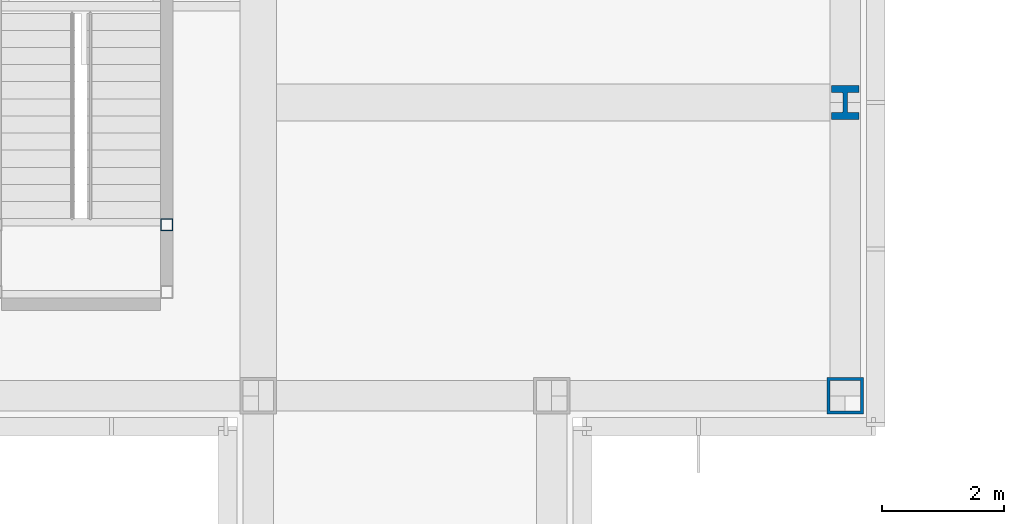
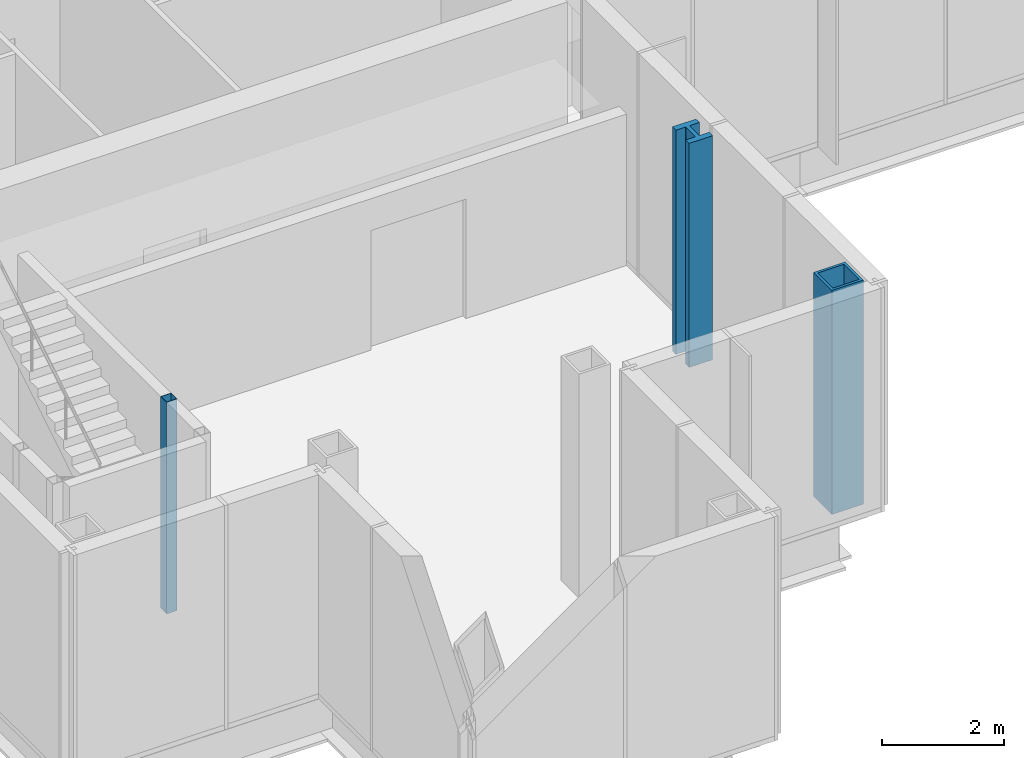
# One storey, part 2 of 12: 3 columns.
"""IFC4 building model written with IfcOpenShell, lengths in metres."""

from ifc_helpers import new_model, si_unit, direction, frame, origin, origin_2d, place, context, subcontext, project, spatial, hollow_rectangle, i_section, extrude, material, material_profile, profile_set, type_object, element, save


model = new_model("IFC4")

# Units and contexts
model_context = context("Model", 3, precision=1e-05, world=origin(), true_north=direction((0.0, 1.0)))
body_context = subcontext(model_context, "Body", "Model", "MODEL_VIEW")
ifc_project = project(units=[si_unit("LENGTHUNIT", "METRE"), si_unit("AREAUNIT", "SQUARE_METRE"), si_unit("VOLUMEUNIT", "CUBIC_METRE"), si_unit("PLANEANGLEUNIT", "RADIAN"), si_unit("MASSUNIT", "GRAM", prefix="KILO")], contexts=[model_context])

# Site, building, storey
site_placement = place(None, origin())
site = spatial("IfcSite", under=ifc_project, at=site_placement, CompositionType="ELEMENT")
building_placement = place(site_placement, origin())
building = spatial("IfcBuilding", under=site, at=building_placement, Name="Kvirike Care Tower", CompositionType="ELEMENT")
storey_placement = place(building_placement, frame((0.0, 0.0, 243.5)))
storey = spatial("IfcBuildingStorey", under=building, at=storey_placement, Name="L67", CompositionType="ELEMENT", Elevation=243.5)

# Columns
ifc_material_1 = material(Name="Steel S460", Category="steel")
ifc_material_profile_1 = material_profile(ifc_material_1, hollow_rectangle(XDim=0.60009765625, YDim=0.60009765625, WallThickness=0.050048828125, at=origin_2d()), Name="BX 600x600x50")
ifc_profile_set_1 = profile_set([ifc_material_profile_1], Name="Steel S460")
column_type_1 = type_object("IfcColumnType", Name="COLUMN BX 600x600x50", PredefinedType="COLUMN", material=ifc_profile_set_1)
column_1_placement = place(storey_placement, frame((28.800048828125, 19.199951171875, 0.0), z_axis=(0.0, 0.0, 1.0), x_axis=(0.0, 1.0, 0.0)))
element("IfcColumn", 1, at=column_1_placement, inside=storey, type_object=column_type_1, Name="Column E9 L67", PredefinedType="COLUMN", context=body_context, shape_type="SweptSolid", body=[
    extrude(hollow_rectangle(XDim=0.60009765625, YDim=0.60009765625, WallThickness=0.050048828125, at=origin_2d()), origin(), (0.0, 0.0, 1.0), 4.5),
])
ifc_material_2 = material(Name="Steel S460", Category="steel")
ifc_material_profile_2 = material_profile(ifc_material_2, i_section(OverallWidth=0.447998046875, OverallDepth=0.550048828125, WebThickness=0.072021484375, FlangeThickness=0.114990234375, FilletRadius=0.014892578125, at=origin_2d()), Name="HD 400x990")
ifc_profile_set_2 = profile_set([ifc_material_profile_2], Name="Steel S460")
column_type_2 = type_object("IfcColumnType", Name="COLUMN HD 400x990", PredefinedType="COLUMN", material=ifc_profile_set_2)
column_2_placement = place(storey_placement, frame((28.800048828125, 24.0, 0.0), z_axis=(0.0, 0.0, 1.0), x_axis=(1.0, 0.0, 0.0)))
element("IfcColumn", 2, at=column_2_placement, inside=storey, type_object=column_type_2, Name="Column F9 L67", PredefinedType="COLUMN", context=body_context, shape_type="SweptSolid", body=[
    extrude(i_section(OverallWidth=0.447998046875, OverallDepth=0.550048828125, WebThickness=0.072021484375, FlangeThickness=0.114990234375, FilletRadius=0.014892578125, at=origin_2d()), origin(), (0.0, 0.0, 1.0), 4.5),
])
ifc_material_3 = material(Name="Steel S460", Category="steel")
ifc_material_profile_3 = material_profile(ifc_material_3, hollow_rectangle(XDim=0.199951171875, YDim=0.199951171875, WallThickness=0.008056640625, at=origin_2d()), Name="SHS 200x200x8")
ifc_profile_set_3 = profile_set([ifc_material_profile_3], Name="Steel S460")
column_type_3 = type_object("IfcColumnType", Name="STAIR POST SHS 200x200x8", PredefinedType="COLUMN", material=ifc_profile_set_3)
column_3_placement = place(storey_placement, frame((17.699951171875, 22.0, 0.0), z_axis=(0.0, 0.0, 1.0), x_axis=(1.0, 0.0, 0.0)))
element("IfcColumn", 3, at=column_3_placement, inside=storey, type_object=column_type_3, Name="Stair 5 post 4 L67", PredefinedType="COLUMN", context=body_context, shape_type="SweptSolid", body=[
    extrude(hollow_rectangle(XDim=0.199951171875, YDim=0.199951171875, WallThickness=0.008056640625, at=origin_2d()), origin(), (0.0, 0.0, 1.0), 4.25),
])

save(model, "model.ifc")
